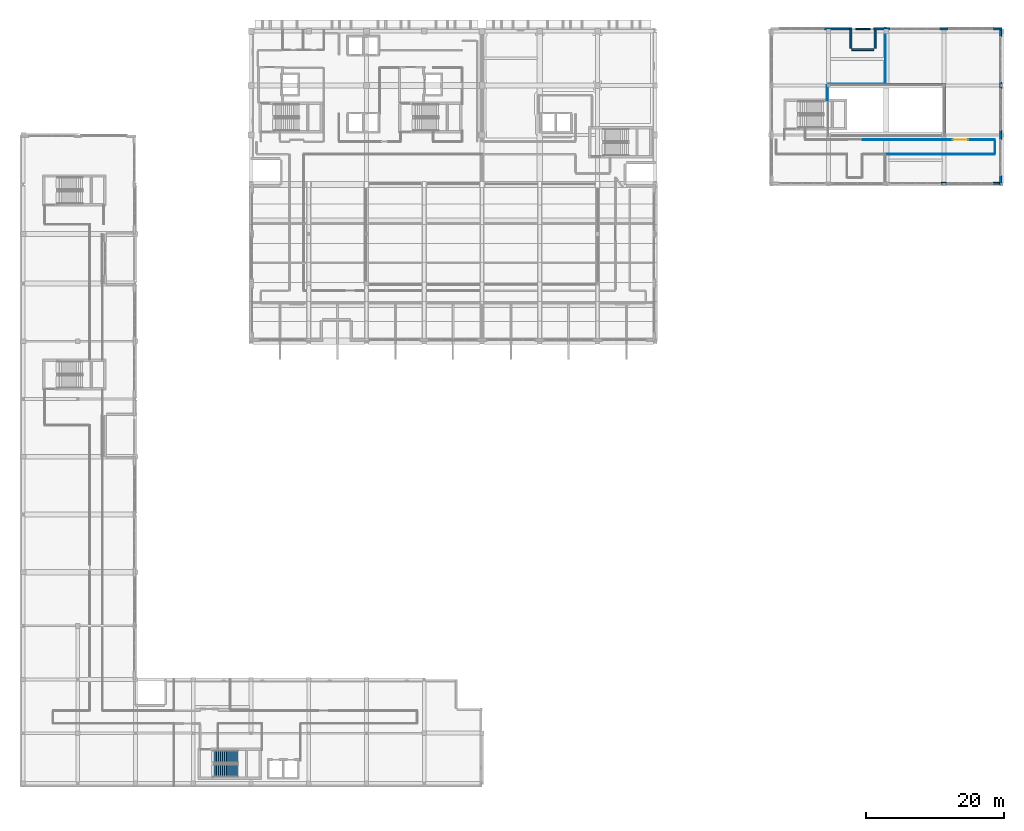
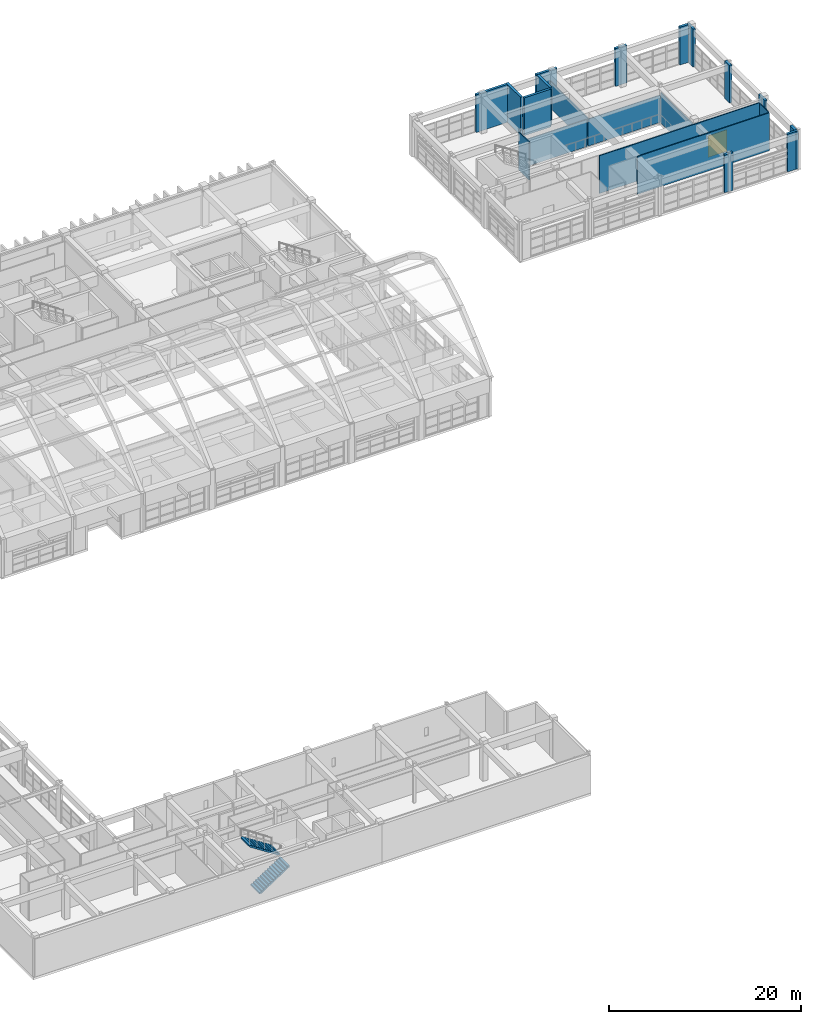
# One storey, part 92 of 103: 22 walls, 2 stair flights, 1 door, 1 opening, 1 element without a shape of its own.
"""IFC4 building model written with IfcOpenShell, lengths in metres."""

from ifc_helpers import new_model, si_unit, direction, frame, frame_2d, origin, place, context, subcontext, project, spatial, polyline, rectangle, outline, extrude, material, layer, layer_set, type_object, element, fill, aggregate, save


model = new_model("IFC4")

# Units and contexts
model_context = context("Model", 3, precision=1e-05, world=origin(), true_north=direction((0.0, 1.0)))
body_context = subcontext(model_context, "Body", "Model", "MODEL_VIEW")
ifc_project = project(units=[si_unit("LENGTHUNIT", "METRE"), si_unit("AREAUNIT", "SQUARE_METRE"), si_unit("VOLUMEUNIT", "CUBIC_METRE"), si_unit("PLANEANGLEUNIT", "RADIAN"), si_unit("MASSUNIT", "GRAM", prefix="KILO")], contexts=[model_context])

# Site, building, storey
site_placement = place(None, origin())
site = spatial("IfcSite", under=ifc_project, at=site_placement, CompositionType="ELEMENT")
building_placement = place(site_placement, origin())
building = spatial("IfcBuilding", under=site, at=building_placement, Name="Quendrovan Civic Courthouse", CompositionType="ELEMENT")
storey_placement = place(building_placement, frame((0.0, 0.0, 15.300048828125)))
storey = spatial("IfcBuildingStorey", under=building, at=storey_placement, Name="L04", CompositionType="ELEMENT", Elevation=15.300048828125)

# Walls
ifc_material_1 = material(Name="Precast concrete C45/55", Category="concrete")
ifc_layer_1 = layer(ifc_material_1, 0.2900390625, Name="Precast concrete C45/55")
ifc_layer_set_1 = layer_set([ifc_layer_1], Name="Precast concrete C45/55")
wall_type_1 = type_object("IfcWallType", Name="WL-EXT-PC290", PredefinedType="SOLIDWALL", material=ifc_layer_set_1)
wall_1_placement = place(storey_placement, frame((116.925048828125, 110.235107421875, 0.0), z_axis=(0.0, 0.0, 1.0), x_axis=(1.0, 0.0, 0.0)))
element("IfcWall", 1, at=wall_1_placement, inside=storey, type_object=wall_type_1, Name="L04 Exterior Pier Wall 391", PredefinedType="SOLIDWALL", context=body_context, shape_type="SweptSolid", body=[
    extrude(rectangle(XDim=4.074951171875, YDim=0.2900390625, at=frame_2d((2.03759765625, 0.0))), origin(), (0.0, 0.0, 1.0), 4.820068359375),
])
wall_2_placement = place(storey_placement, frame((120.8349609375, 110.39990234375, 0.0), z_axis=(0.0, 0.0, 1.0), x_axis=(0.0, -1.0, 0.0)))
element("IfcWall", 2, at=wall_2_placement, inside=storey, type_object=wall_type_1, Name="L04 Exterior Civic Portal Wall 392", PredefinedType="SOLIDWALL", context=body_context, shape_type="SweptSolid", body=[
    extrude(rectangle(XDim=3.0, YDim=0.2900390625, at=frame_2d((1.5, 0.0))), origin(), (0.0, 0.0, 1.0), 4.820068359375),
])
wall_3_placement = place(storey_placement, frame((121.0, 107.235107421875, 0.0), z_axis=(0.0, 0.0, 1.0), x_axis=(1.0, 0.0, 0.0)))
element("IfcWall", 3, at=wall_3_placement, inside=storey, type_object=wall_type_1, Name="L04 Exterior Civic Portal Wall 393", PredefinedType="SOLIDWALL", context=body_context, shape_type="SweptSolid", body=[
    extrude(rectangle(XDim=3.199951171875, YDim=0.2900390625, at=frame_2d((1.60009765625, 0.0))), origin(), (0.0, 0.0, 1.0), 4.820068359375),
])
wall_4_placement = place(storey_placement, frame((124.364990234375, 107.39990234375, 0.0), z_axis=(0.0, 0.0, 1.0), x_axis=(0.0, 1.0, 0.0)))
element("IfcWall", 4, at=wall_4_placement, inside=storey, type_object=wall_type_1, Name="L04 Exterior Civic Portal Wall 394", PredefinedType="SOLIDWALL", context=body_context, shape_type="SweptSolid", body=[
    extrude(rectangle(XDim=3.0, YDim=0.2900390625, at=frame_2d((1.5, 0.0))), origin(), (0.0, 0.0, 1.0), 4.820068359375),
])
wall_5_placement = place(storey_placement, frame((124.199951171875, 110.235107421875, 0.0), z_axis=(0.0, 0.0, 1.0), x_axis=(1.0, 0.0, 0.0)))
element("IfcWall", 5, at=wall_5_placement, inside=storey, type_object=wall_type_1, Name="L04 Exterior Pier Wall 395", PredefinedType="SOLIDWALL", context=body_context, shape_type="SweptSolid", body=[
    extrude(rectangle(XDim=2.47509765625, YDim=0.2900390625, at=frame_2d((1.237548828125, 0.0))), origin(), (0.0, 0.0, 1.0), 4.820068359375),
])
wall_6_placement = place(storey_placement, frame((133.72509765625, 110.235107421875, 0.0), z_axis=(0.0, 0.0, 1.0), x_axis=(1.0, 0.0, 0.0)))
element("IfcWall", 6, at=wall_6_placement, inside=storey, type_object=wall_type_1, Name="L04 Exterior Pier Wall 396", PredefinedType="SOLIDWALL", context=body_context, shape_type="SweptSolid", body=[
    extrude(rectangle(XDim=1.349853515625, YDim=0.2900390625, at=frame_2d((0.6748046875, 0.0))), origin(), (0.0, 0.0, 1.0), 4.820068359375),
])
wall_7_placement = place(storey_placement, frame((141.5, 110.235107421875, 0.0), z_axis=(0.0, 0.0, 1.0), x_axis=(1.0, 0.0, 0.0)))
element("IfcWall", 7, at=wall_7_placement, inside=storey, type_object=wall_type_1, Name="L04 Exterior Pier Wall 397", PredefinedType="SOLIDWALL", context=body_context, shape_type="SweptSolid", body=[
    extrude(rectangle(XDim=1.300048828125, YDim=0.2900390625, at=frame_2d((0.64990234375, 0.0))), origin(), (0.0, 0.0, 1.0), 4.820068359375),
])
wall_8_placement = place(storey_placement, frame((142.635009765625, 110.39990234375, 0.0), z_axis=(0.0, 0.0, 1.0), x_axis=(0.0, -1.0, 0.0)))
element("IfcWall", 8, at=wall_8_placement, inside=storey, type_object=wall_type_1, Name="L04 Exterior Pier Wall 398", PredefinedType="SOLIDWALL", context=body_context, shape_type="SweptSolid", body=[
    extrude(rectangle(XDim=1.2998046875, YDim=0.2900390625, at=frame_2d((0.64990234375, 0.0))), origin(), (0.0, 0.0, 1.0), 4.820068359375),
])
wall_9_placement = place(storey_placement, frame((142.635009765625, 102.5, 0.0), z_axis=(0.0, 0.0, 1.0), x_axis=(0.0, -1.0, 0.0)))
element("IfcWall", 9, at=wall_9_placement, inside=storey, type_object=wall_type_1, Name="L04 Exterior Pier Wall 399", PredefinedType="SOLIDWALL", context=body_context, shape_type="SweptSolid", body=[
    extrude(rectangle(XDim=1.0, YDim=0.2900390625, at=frame_2d((0.5, 0.0))), origin(), (0.0, 0.0, 1.0), 4.820068359375),
])
wall_10_placement = place(storey_placement, frame((142.635009765625, 95.47509765625, 0.0), z_axis=(0.0, 0.0, 1.0), x_axis=(0.0, -1.0, 0.0)))
element("IfcWall", 10, at=wall_10_placement, inside=storey, type_object=wall_type_1, Name="L04 Exterior Pier Wall 400", PredefinedType="SOLIDWALL", context=body_context, shape_type="SweptSolid", body=[
    extrude(rectangle(XDim=1.35009765625, YDim=0.2900390625, at=frame_2d((0.675048828125, 0.0))), origin(), (0.0, 0.0, 1.0), 4.820068359375),
])
wall_11_placement = place(storey_placement, frame((142.635009765625, 88.89990234375, 0.0), z_axis=(0.0, 0.0, 1.0), x_axis=(0.0, -1.0, 0.0)))
element("IfcWall", 11, at=wall_11_placement, inside=storey, type_object=wall_type_1, Name="L04 Exterior Pier Wall 401", PredefinedType="SOLIDWALL", context=body_context, shape_type="SweptSolid", body=[
    extrude(rectangle(XDim=1.2998046875, YDim=0.2900390625, at=frame_2d((0.64990234375, 0.0))), origin(), (0.0, 0.0, 1.0), 4.820068359375),
])
wall_12_placement = place(storey_placement, frame((142.800048828125, 87.764892578125, 0.0), z_axis=(0.0, 0.0, 1.0), x_axis=(-1.0, 0.0, 0.0)))
element("IfcWall", 12, at=wall_12_placement, inside=storey, type_object=wall_type_1, Name="L04 Exterior Pier Wall 402", PredefinedType="SOLIDWALL", context=body_context, shape_type="SweptSolid", body=[
    extrude(rectangle(XDim=1.300048828125, YDim=0.2900390625, at=frame_2d((0.64990234375, 0.0))), origin(), (0.0, 0.0, 1.0), 4.820068359375),
])
wall_13_placement = place(storey_placement, frame((134.89990234375, 87.764892578125, 0.0), z_axis=(0.0, 0.0, 1.0), x_axis=(-1.0, 0.0, 0.0)))
element("IfcWall", 13, at=wall_13_placement, inside=storey, type_object=wall_type_1, Name="L04 Exterior Pier Wall 403", PredefinedType="SOLIDWALL", context=body_context, shape_type="SweptSolid", body=[
    extrude(rectangle(XDim=1.0, YDim=0.2900390625, at=frame_2d((0.5, 0.0))), origin(), (0.0, 0.0, 1.0), 4.820068359375),
])
ifc_material_2 = material(Name="Acoustic glazed-head stud partition")
ifc_layer_2 = layer(ifc_material_2, 0.1201171875, Name="Acoustic glazed-head stud partition")
ifc_layer_set_2 = layer_set([ifc_layer_2], Name="Acoustic glazed-head stud partition")
wall_type_2 = type_object("IfcWallType", Name="WL-LIB-120", PredefinedType="PARTITIONING", material=ifc_layer_set_2)
wall_14_placement = place(storey_placement, frame((125.6650390625, 102.159912109375, 0.0), z_axis=(0.0, 0.0, 1.0), x_axis=(-1.0, 0.0, 0.0)))
element("IfcWall", 14, at=wall_14_placement, inside=storey, type_object=wall_type_2, Name="L04 Compact Archive Partition 0580", PredefinedType="PARTITIONING", context=body_context, shape_type="SweptSolid", body=[
    extrude(rectangle(XDim=8.1650390625, YDim=0.1201171875, at=frame_2d((4.08251953125, 0.0))), origin(), (0.0, 0.0, 1.0), 3.449951171875),
])
wall_15_placement = place(storey_placement, frame((125.89990234375, 110.340087890625, 0.0), z_axis=(0.0, 0.0, 1.0), x_axis=(0.0, -1.0, 0.0)))
element("IfcWall", 15, at=wall_15_placement, inside=storey, type_object=wall_type_2, Name="L04 Compact Archive Partition 0581", PredefinedType="PARTITIONING", context=body_context, shape_type="SweptSolid", body=[
    extrude(rectangle(XDim=8.045166015625, YDim=0.1201171875, at=frame_2d((4.0224609375, 0.0))), origin(), (0.0, 0.0, 1.0), 3.449951171875),
])
wall_16_placement = place(storey_placement, frame((117.43994140625, 102.03369140625, 0.0), z_axis=(0.0, 0.0, 1.0), x_axis=(0.0, -1.0, 0.0)))
element("IfcWall", 16, at=wall_16_placement, inside=storey, type_object=wall_type_2, Name="L04 Compact Archive Partition 0636", PredefinedType="PARTITIONING", context=body_context, shape_type="SweptSolid", body=[
    extrude(rectangle(XDim=2.16357421875, YDim=0.1201171875, at=frame_2d((1.081787109375, 0.0))), origin(), (0.0, 0.0, 1.0), 4.820068359375),
])
ifc_layer_3 = layer(ifc_material_1, 0.2099609375, Name="Precast concrete C45/55")
ifc_layer_set_3 = layer_set([ifc_layer_3], Name="Precast concrete C45/55")
wall_type_3 = type_object("IfcWallType", Name="WL-PARAPET-210", PredefinedType="PARAPET", material=ifc_layer_set_3)
wall_17_placement = place(storey_placement, frame((121.5400390625, 110.199951171875, 0.0), z_axis=(0.0, 0.0, 1.0), x_axis=(1.0, 0.0, 0.0)))
element("IfcWall", 17, at=wall_17_placement, inside=storey, type_object=wall_type_3, Name="L04 Precast Roof Parapet Wall 46", PredefinedType="PARAPET", context=body_context, shape_type="SweptSolid", body=[
    extrude(rectangle(XDim=2.119873046875, YDim=0.2099609375, at=frame_2d((1.06005859375, 0.0))), origin(), (0.0, 0.0, 1.0), 1.119873046875),
])

# Wall, opening, door
ifc_material_3 = material(Name="Moisture-resistant tile-backer partition")
ifc_layer_4 = layer(ifc_material_3, 0.110107421875, Name="Moisture-resistant tile-backer partition")
ifc_layer_set_4 = layer_set([ifc_layer_4], Name="Moisture-resistant tile-backer partition")
wall_type_4 = type_object("IfcWallType", Name="WL-WET-110", PredefinedType="PARTITIONING", material=ifc_layer_set_4)
wall_18_placement = place(storey_placement, frame((141.800048828125, 94.10009765625, 0.0), z_axis=(0.0, 0.0, 1.0), x_axis=(-1.0, 0.0, 0.0)))
wall_18 = element("IfcWall", 18, at=wall_18_placement, inside=storey, type_object=wall_type_4, Name="L04 Ceremonial Judicial Deliberation Suite Partition 0553", PredefinedType="PARTITIONING", context=body_context, shape_type="SweptSolid", body=[
    extrude(rectangle(XDim=19.300048828125, YDim=0.110107421875, at=frame_2d((9.64990234375, 0.0))), origin(), (0.0, 0.0, 1.0), 4.820068359375),
])
opening_placement = place(wall_18_placement, frame((3.8779296875, 0.0, 0.0)))
opening = element("IfcOpeningElement", 19, at=opening_placement, cuts=wall_18, Name="Opening D-L04-085", PredefinedType="OPENING", context=body_context, shape_type="SweptSolid", body=[
    extrude(rectangle(XDim=2.280029296875, YDim=2.75, at=frame_2d((1.14013671875, 1.375))), frame((0.0, 0.06494140625, 0.0), z_axis=(0.0, -1.0, 0.0), x_axis=(1.0, 0.0, 0.0)), (0.0, 0.0, 1.0), 0.130126953125),
])
ifc_material_4 = material(Name="Bronze-framed acoustic timber ceremonial door", Category="wood")
door_type = type_object("IfcDoorType", Name="DR-CER-DBL2280", OperationType="NOTDEFINED", PredefinedType="DOOR", material=ifc_material_4)
door_placement = place(opening_placement, origin())
door = element("IfcDoor", 20, at=door_placement, inside=storey, type_object=door_type, Name="L04 Ceremonial Judicial Deliberation Suite Door D-L04-085", OperationType="SINGLE_SWING_RIGHT", OverallHeight=2.75, OverallWidth=2.280029296875, PredefinedType="DOOR", context=body_context, shape_type="SweptSolid", body=[
    extrude(rectangle(XDim=2.280029296875, YDim=2.75, at=frame_2d((1.14013671875, 1.375))), frame((0.0, 0.02490234375, 0.0), z_axis=(0.0, -1.0, 0.0), x_axis=(1.0, 0.0, 0.0)), (0.0, 0.0, 1.0), 0.050048828125),
])
fill(opening, door)

# Walls
wall_19_placement = place(storey_placement, frame((125.89990234375, 92.0, 0.0), z_axis=(0.0, 0.0, 1.0), x_axis=(1.0, 0.0, 0.0)))
element("IfcWall", 21, at=wall_19_placement, inside=storey, type_object=wall_type_4, Name="L04 Ceremonial Judicial Deliberation Suite Partition 0563", PredefinedType="PARTITIONING", context=body_context, shape_type="SweptSolid", body=[
    extrude(rectangle(XDim=15.900146484375, YDim=0.110107421875, at=frame_2d((7.9501953125, 0.0))), origin(), (0.0, 0.0, 1.0), 4.820068359375),
])
wall_20_placement = place(storey_placement, frame((134.5, 102.159912109375, 0.0), z_axis=(0.0, 0.0, 1.0), x_axis=(-1.0, 0.0, 0.0)))
element("IfcWall", 22, at=wall_20_placement, inside=storey, type_object=wall_type_4, Name="L04 Ceremonial Judicial Deliberation Suite Partition 0579", PredefinedType="PARTITIONING", context=body_context, shape_type="SweptSolid", body=[
    extrude(rectangle(XDim=8.699951171875, YDim=0.110107421875, at=frame_2d((4.35009765625, 0.0))), origin(), (0.0, 0.0, 1.0), 3.449951171875),
])
wall_21_placement = place(storey_placement, frame((134.56005859375, 94.7607421875, 0.0), z_axis=(0.0, 0.0, 1.0), x_axis=(0.0, 1.0, 0.0)))
element("IfcWall", 23, at=wall_21_placement, inside=storey, type_object=wall_type_4, Name="L04 Ceremonial Judicial Deliberation Suite Partition 0583", PredefinedType="PARTITIONING", context=body_context, shape_type="SweptSolid", body=[
    extrude(rectangle(XDim=7.278564453125, YDim=0.110107421875, at=frame_2d((3.63916015625, 0.0))), origin(), (0.0, 0.0, 1.0), 3.849853515625),
])
wall_22_placement = place(storey_placement, frame((141.800048828125, 92.135009765625, 0.0), z_axis=(0.0, 0.0, 1.0), x_axis=(0.0, 1.0, 0.0)))
element("IfcWall", 24, at=wall_22_placement, inside=storey, type_object=wall_type_4, Name="L04 Ceremonial Judicial Deliberation Suite Partition 0645", PredefinedType="PARTITIONING", context=body_context, shape_type="SweptSolid", body=[
    extrude(rectangle(XDim=1.830078125, YDim=0.110107421875, at=frame_2d((0.9150390625, 0.0))), origin(), (0.0, 0.0, 1.0), 4.820068359375),
])

# Stair, stair flights
ifc_material_5 = material(Name="Concrete C40/50", Category="concrete")
stair_type = type_object("IfcStairType", Name="STR-CORE-5100", PredefinedType="HALF_TURN_STAIR", material=ifc_material_5)
stair_placement = place(storey_placement, origin())
stair = element("IfcStair", 25, at=stair_placement, inside=storey, type_object=stair_type, Name="L04 Custody Wing Secure Exit Stair 5", PredefinedType="HALF_TURN_STAIR")
stair_flight_type = type_object("IfcStairFlightType", Name="FLT-CORE-5100", PredefinedType="STRAIGHT", material=ifc_material_5)
stair_flight_1_placement = place(storey_placement, frame((28.050048828125, 2.324951171875, 0.0), z_axis=(0.0, 0.0, 1.0), x_axis=(1.0, 0.0, 0.0)))
stair_flight_1 = element("IfcStairFlight", 26, at=stair_flight_1_placement, type_object=stair_flight_type, Name="ST5 flight 1", NumberOfRisers=14, NumberOfTreads=13, PredefinedType="STRAIGHT", RiserHeight=0.182142857, TreadLength=0.28, context=body_context, shape_type="SweptSolid", body=[
    extrude(outline(polyline([(0.0, 0.0), (0.0, 0.18212890625), (0.280029296875, 0.18212890625), (0.280029296875, 0.3642578125), (0.56005859375, 0.3642578125), (0.56005859375, 0.54638671875), (0.840087890625, 0.54638671875), (0.840087890625, 0.728515625), (1.1201171875, 0.728515625), (1.1201171875, 0.91064453125), (1.39990234375, 0.91064453125), (1.39990234375, 1.0927734375), (1.679931640625, 1.0927734375), (1.679931640625, 1.27490234375), (1.9599609375, 1.27490234375), (1.9599609375, 1.45703125), (2.239990234375, 1.45703125), (2.239990234375, 1.639404296875), (2.52001953125, 1.639404296875), (2.52001953125, 1.821533203125), (2.800048828125, 1.821533203125), (2.800048828125, 2.003662109375), (3.080078125, 2.003662109375), (3.080078125, 2.185791015625), (3.360107421875, 2.185791015625), (3.360107421875, 2.367919921875), (3.639892578125, 2.367919921875), (3.639892578125, 2.550048828125), (3.639892578125, 2.18896484375), (0.27490234375, 0.0), (0.0, 0.0)])), frame((0.0, 0.925048828125, 0.0), z_axis=(0.0, -1.0, 0.0), x_axis=(1.0, 0.0, 0.0)), (0.0, 0.0, 1.0), 1.85009765625),
])
stair_flight_2_placement = place(storey_placement, frame((31.68994140625, 4.35498046875, 2.550048828125), z_axis=(0.0, 0.0, 1.0), x_axis=(-1.0, 0.0, 0.0)))
stair_flight_2 = element("IfcStairFlight", 27, at=stair_flight_2_placement, type_object=stair_flight_type, Name="ST5 flight 2", NumberOfRisers=14, NumberOfTreads=13, PredefinedType="STRAIGHT", RiserHeight=0.182142857, TreadLength=0.28, context=body_context, shape_type="SweptSolid", body=[
    extrude(outline(polyline([(0.0, 0.0), (0.0, 0.18212890625), (0.280029296875, 0.18212890625), (0.280029296875, 0.3642578125), (0.56005859375, 0.3642578125), (0.56005859375, 0.54638671875), (0.840087890625, 0.54638671875), (0.840087890625, 0.728515625), (1.1201171875, 0.728515625), (1.1201171875, 0.91064453125), (1.39990234375, 0.91064453125), (1.39990234375, 1.0927734375), (1.679931640625, 1.0927734375), (1.679931640625, 1.27490234375), (1.9599609375, 1.27490234375), (1.9599609375, 1.45703125), (2.239990234375, 1.45703125), (2.239990234375, 1.639404296875), (2.52001953125, 1.639404296875), (2.52001953125, 1.821533203125), (2.800048828125, 1.821533203125), (2.800048828125, 2.003662109375), (3.080078125, 2.003662109375), (3.080078125, 2.185791015625), (3.360107421875, 2.185791015625), (3.360107421875, 2.367919921875), (3.639892578125, 2.367919921875), (3.639892578125, 2.550048828125), (3.639892578125, 2.18896484375), (0.27490234375, 0.0), (0.0, 0.0)])), frame((0.0, 0.925048828125, 0.0), z_axis=(0.0, -1.0, 0.0), x_axis=(1.0, 0.0, 0.0)), (0.0, 0.0, 1.0), 1.85009765625),
])
aggregate(stair, [stair_flight_1, stair_flight_2])

save(model, "model.ifc")
